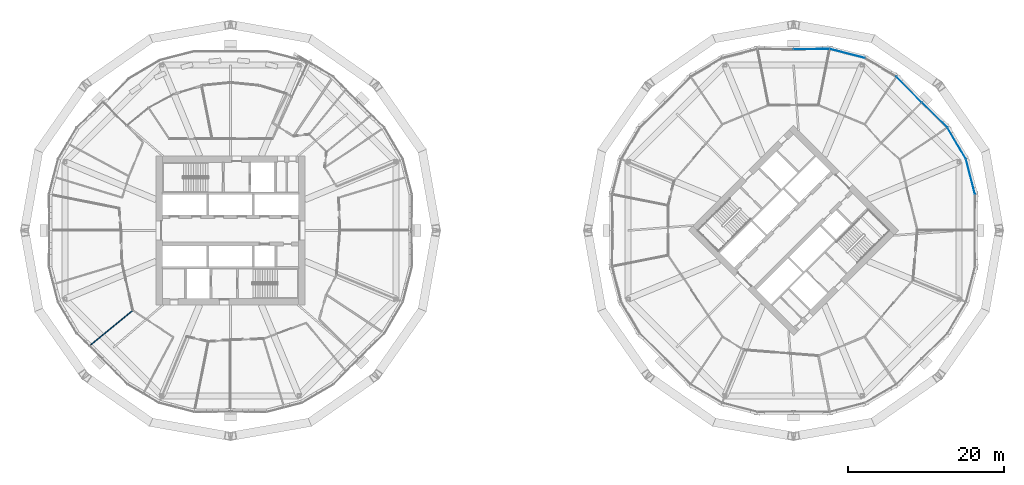
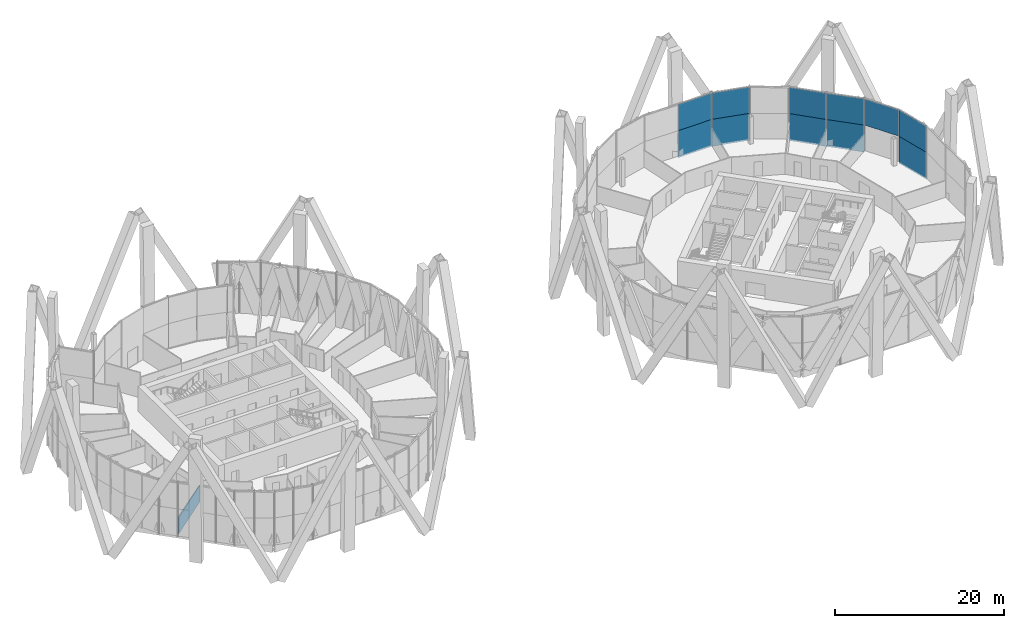
# One storey, part 21 of 31: 11 plates, 1 wall, 2 elements without a shape of their own.
"""IFC4 building model written with IfcOpenShell, lengths in metres."""

from ifc_helpers import new_model, si_unit, direction, frame, frame_2d, origin, origin_2d, place, context, subcontext, project, spatial, rectangle, extrude, material, layer, layer_set, type_object, element, aggregate, save


model = new_model("IFC4")

# Units and contexts
model_context = context("Model", 3, precision=1e-05, world=origin(), true_north=direction((0.0, 1.0)))
body_context = subcontext(model_context, "Body", "Model", "MODEL_VIEW")
ifc_project = project(units=[si_unit("LENGTHUNIT", "METRE"), si_unit("AREAUNIT", "SQUARE_METRE"), si_unit("VOLUMEUNIT", "CUBIC_METRE"), si_unit("PLANEANGLEUNIT", "RADIAN"), si_unit("MASSUNIT", "GRAM", prefix="KILO")], contexts=[model_context])

# Site, building, storey
site_placement = place(None, origin())
site = spatial("IfcSite", under=ifc_project, at=site_placement, CompositionType="ELEMENT")
building_placement = place(site_placement, origin())
building = spatial("IfcBuilding", under=site, at=building_placement, Name="Ogive Gate Towers", CompositionType="ELEMENT")
storey_placement = place(building_placement, frame((0.0, 0.0, 55.800048828125)))
storey = spatial("IfcBuildingStorey", under=building, at=storey_placement, Name="L12", CompositionType="ELEMENT", Elevation=55.800048828125)

# Curtain wall, plates
ifc_material_1 = material(Name="Pale metal aluminium", Category="aluminium")
curtain_wall_type = type_object("IfcCurtainWallType", Name="Tower unitised wall, low zone", PredefinedType="NOTDEFINED", material=ifc_material_1)
curtain_wall_1_placement = place(storey_placement, origin())
curtain_wall_1 = element("IfcCurtainWall", 1, at=curtain_wall_1_placement, inside=storey, type_object=curtain_wall_type, Name="CW1 T2 ECW01", PredefinedType="NOTDEFINED")
ifc_material_2 = material(Name="Clear glass", Category="glass")
ifc_layer_1 = layer(ifc_material_2, 0.028076171875)
ifc_layer_set_1 = layer_set([ifc_layer_1], Name="Tower unitised wall, low zone glass panel")
plate_type = type_object("IfcPlateType", Name="Tower unitised wall, low zone glass panel", PredefinedType="CURTAIN_PANEL", material=ifc_layer_set_1)
plate_1_placement = place(storey_placement, frame((58.626220703125, 6.869873046875, -0.300048828125), z_axis=(0.0, 0.0, 1.0), x_axis=(-0.248977260623, 0.96850933072, 0.0)))
plate_1 = element("IfcPlate", 2, at=plate_1_placement, type_object=plate_type, Name="CW1 glass panel", PredefinedType="CURTAIN_PANEL", context=body_context, shape_type="SweptSolid", body=[
    extrude(rectangle(XDim=4.60791015625, YDim=0.028076171875, at=origin_2d()), origin(), (0.0, 0.0, 1.0), 3.89990234375),
])
plate_2_placement = place(storey_placement, frame((58.626220703125, 6.869873046875, 3.60009765625), z_axis=(0.0, 0.0, 1.0), x_axis=(-0.248977260623, 0.96850933072, 0.0)))
plate_2 = element("IfcPlate", 3, at=plate_2_placement, type_object=plate_type, Name="CW1 glass panel", PredefinedType="CURTAIN_PANEL", context=body_context, shape_type="SweptSolid", body=[
    extrude(rectangle(XDim=4.60791015625, YDim=0.028076171875, at=origin_2d()), origin(), (0.0, 0.0, 1.0), 3.803955078125),
])
plate_3_placement = place(storey_placement, frame((56.856689453125, 11.141357421875, 3.60009765625), z_axis=(0.0, 0.0, 1.0), x_axis=(-0.508770980552, 0.860901904603, 0.0)))
plate_3 = element("IfcPlate", 4, at=plate_3_placement, type_object=plate_type, Name="CW1 glass panel", PredefinedType="CURTAIN_PANEL", context=body_context, shape_type="SweptSolid", body=[
    extrude(rectangle(XDim=4.60791015625, YDim=0.028076171875, at=origin_2d()), origin(), (0.0, 0.0, 1.0), 3.803955078125),
])
plate_4_placement = place(storey_placement, frame((54.021240234375, 14.765380859375, -0.300048828125), z_axis=(0.0, 0.0, 1.0), x_axis=(-0.714350554462, 0.699788028863, 0.0)))
plate_4 = element("IfcPlate", 5, at=plate_4_placement, type_object=plate_type, Name="CW1 glass panel", PredefinedType="CURTAIN_PANEL", context=body_context, shape_type="SweptSolid", body=[
    extrude(rectangle(XDim=4.55078125, YDim=0.028076171875, at=origin_2d()), origin(), (0.0, 0.0, 1.0), 3.89990234375),
])
plate_5_placement = place(storey_placement, frame((54.021240234375, 14.765380859375, 3.60009765625), z_axis=(0.0, 0.0, 1.0), x_axis=(-0.714350554462, 0.699788028863, 0.0)))
plate_5 = element("IfcPlate", 6, at=plate_5_placement, type_object=plate_type, Name="CW1 glass panel", PredefinedType="CURTAIN_PANEL", context=body_context, shape_type="SweptSolid", body=[
    extrude(rectangle(XDim=4.55078125, YDim=0.028076171875, at=origin_2d()), origin(), (0.0, 0.0, 1.0), 3.803955078125),
])
aggregate(curtain_wall_1, [plate_1, plate_2, plate_3, plate_4, plate_5])

curtain_wall_2_placement = place(storey_placement, origin())
curtain_wall_2 = element("IfcCurtainWall", 7, at=curtain_wall_2_placement, inside=storey, type_object=curtain_wall_type, Name="CW1 T2 ECW02", PredefinedType="NOTDEFINED")
plate_6_placement = place(storey_placement, frame((50.765380859375, 18.021240234375, -0.300048828125), z_axis=(0.0, 0.0, 1.0), x_axis=(-0.699788028863, 0.714350554462, 0.0)))
plate_6 = element("IfcPlate", 8, at=plate_6_placement, type_object=plate_type, Name="CW1 glass panel", PredefinedType="CURTAIN_PANEL", context=body_context, shape_type="SweptSolid", body=[
    extrude(rectangle(XDim=4.55078125, YDim=0.028076171875, at=origin_2d()), origin(), (0.0, 0.0, 1.0), 3.89990234375),
])
plate_7_placement = place(storey_placement, frame((50.765380859375, 18.021240234375, 3.60009765625), z_axis=(0.0, 0.0, 1.0), x_axis=(-0.699788028863, 0.714350554462, 0.0)))
plate_7 = element("IfcPlate", 9, at=plate_7_placement, type_object=plate_type, Name="CW1 glass panel", PredefinedType="CURTAIN_PANEL", context=body_context, shape_type="SweptSolid", body=[
    extrude(rectangle(XDim=4.55078125, YDim=0.028076171875, at=origin_2d()), origin(), (0.0, 0.0, 1.0), 3.803955078125),
])
plate_8_placement = place(storey_placement, frame((42.869873046875, 22.626220703125, -0.300048828125), z_axis=(0.0, 0.0, 1.0), x_axis=(-0.96850933072, 0.248977260623, 0.0)))
plate_8 = element("IfcPlate", 10, at=plate_8_placement, type_object=plate_type, Name="CW1 glass panel", PredefinedType="CURTAIN_PANEL", context=body_context, shape_type="SweptSolid", body=[
    extrude(rectangle(XDim=4.60791015625, YDim=0.028076171875, at=origin_2d()), origin(), (0.0, 0.0, 1.0), 3.89990234375),
])
plate_9_placement = place(storey_placement, frame((42.869873046875, 22.626220703125, 3.60009765625), z_axis=(0.0, 0.0, 1.0), x_axis=(-0.96850933072, 0.248977260623, 0.0)))
plate_9 = element("IfcPlate", 11, at=plate_9_placement, type_object=plate_type, Name="CW1 glass panel", PredefinedType="CURTAIN_PANEL", context=body_context, shape_type="SweptSolid", body=[
    extrude(rectangle(XDim=4.60791015625, YDim=0.028076171875, at=origin_2d()), origin(), (0.0, 0.0, 1.0), 3.803955078125),
])
plate_10_placement = place(storey_placement, frame((38.30224609375, 23.18359375, -0.300048828125), z_axis=(0.0, 0.0, 1.0), x_axis=(-0.999947161375, -0.010279808233, 0.0)))
plate_10 = element("IfcPlate", 12, at=plate_10_placement, type_object=plate_type, Name="CW1 glass panel", PredefinedType="CURTAIN_PANEL", context=body_context, shape_type="SweptSolid", body=[
    extrude(rectangle(XDim=4.55078125, YDim=0.028076171875, at=origin_2d()), origin(), (0.0, 0.0, 1.0), 3.89990234375),
])
plate_11_placement = place(storey_placement, frame((38.30224609375, 23.18359375, 3.60009765625), z_axis=(0.0, 0.0, 1.0), x_axis=(-0.999947161375, -0.010279808233, 0.0)))
plate_11 = element("IfcPlate", 13, at=plate_11_placement, type_object=plate_type, Name="CW1 glass panel", PredefinedType="CURTAIN_PANEL", context=body_context, shape_type="SweptSolid", body=[
    extrude(rectangle(XDim=4.55078125, YDim=0.028076171875, at=origin_2d()), origin(), (0.0, 0.0, 1.0), 3.803955078125),
])
aggregate(curtain_wall_2, [plate_6, plate_7, plate_8, plate_9, plate_10, plate_11])

# Wall
ifc_material_3 = material(Name="Gypsum board partition")
ifc_layer_2 = layer(ifc_material_3, 0.125)
ifc_layer_set_2 = layer_set([ifc_layer_2], Name="Partition 125")
wall_type = type_object("IfcWallType", Name="Partition 125", PredefinedType="PARTITIONING", material=ifc_layer_set_2)
wall_placement = place(storey_placement, frame((-53.944580078125, -14.699951171875, 0.0), z_axis=(0.0, 0.0, 1.0), x_axis=(0.77358922825, 0.633687388178, 0.0)))
element("IfcWall", 14, at=wall_placement, inside=storey, type_object=wall_type, Name="Partition T1-L12-018", PredefinedType="PARTITIONING", context=body_context, shape_type="SweptSolid", body=[
    extrude(rectangle(XDim=7.006591796875, YDim=0.125, at=frame_2d((3.50341796875, 0.0))), origin(), (0.0, 0.0, 1.0), 2.39990234375),
])

save(model, "model.ifc")
